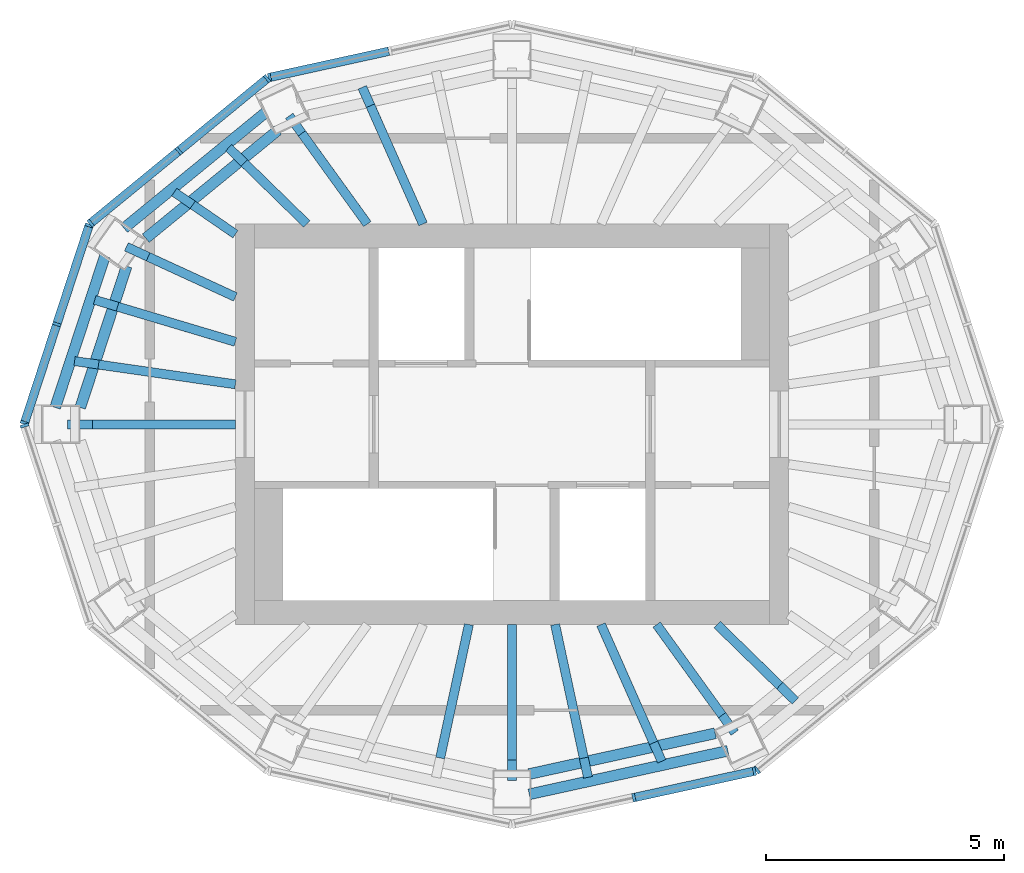
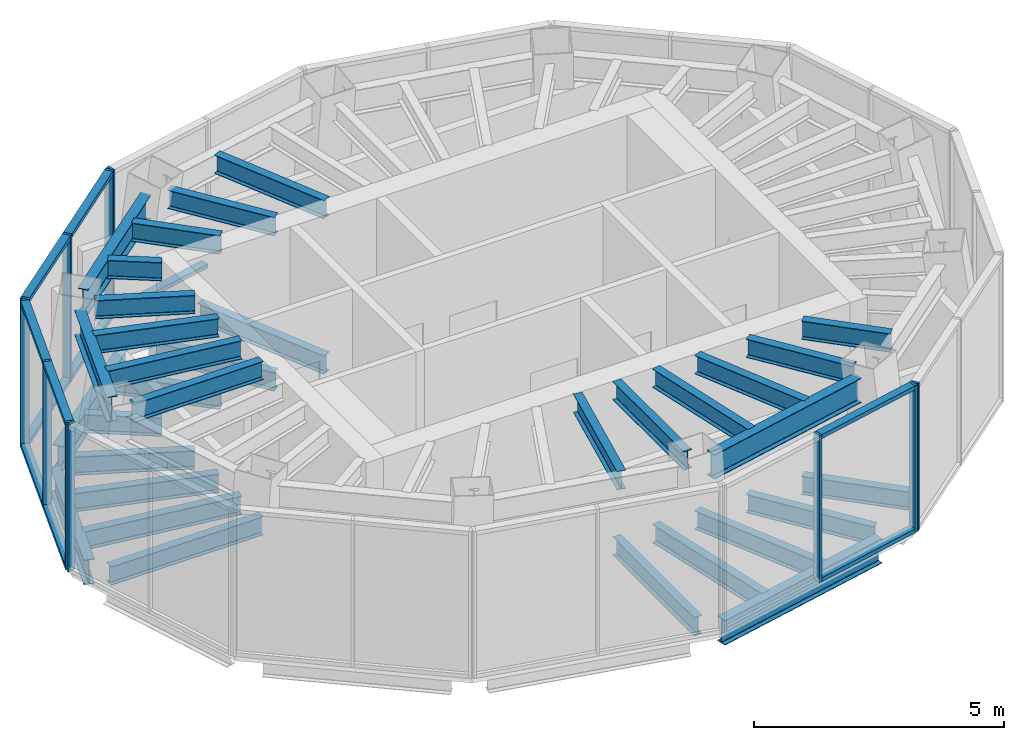
# One storey, part 2 of 6: 33 beams, 22 members, 6 elements without a shape of their own.
"""IFC4 building model written with IfcOpenShell, lengths in metres."""

from ifc_helpers import new_model, si_unit, direction, frame, origin, origin_2d, place, context, subcontext, project, spatial, rectangle, i_section, extrude, material, layer, layer_set, material_profile, profile_set, type_object, element, aggregate, save


model = new_model("IFC4")

# Units and contexts
model_context = context("Model", 3, precision=1e-05, world=origin(), true_north=direction((0.0, 1.0)))
body_context = subcontext(model_context, "Body", "Model", "MODEL_VIEW")
ifc_project = project(units=[si_unit("LENGTHUNIT", "METRE"), si_unit("AREAUNIT", "SQUARE_METRE"), si_unit("VOLUMEUNIT", "CUBIC_METRE"), si_unit("PLANEANGLEUNIT", "RADIAN"), si_unit("MASSUNIT", "GRAM", prefix="KILO")], contexts=[model_context])

# Site, building, storey
site_placement = place(None, origin())
site = spatial("IfcSite", under=ifc_project, at=site_placement, CompositionType="ELEMENT")
building_placement = place(site_placement, origin())
building = spatial("IfcBuilding", under=site, at=building_placement, Name="Siaravel Broadcast Tower", CompositionType="ELEMENT")
storey_placement = place(building_placement, frame((0.0, 0.0, 292.10009765625)))
storey = spatial("IfcBuildingStorey", under=building, at=storey_placement, Name="L71", CompositionType="ELEMENT", Elevation=292.10009765625)

# Curtain wall, member
ifc_material_1 = material(Name="Aluminium 6063-T6", Category="aluminium")
ifc_layer = layer(ifc_material_1, 0.179931640625)
ifc_layer_set = layer_set([ifc_layer], Name="Aluminium 6063-T6")
curtain_wall_type = type_object("IfcCurtainWallType", Name="Crown glass facet wall", PredefinedType="NOTDEFINED", material=ifc_layer_set)
curtain_wall_1_placement = place(storey_placement, origin())
curtain_wall_1 = element("IfcCurtainWall", 1, at=curtain_wall_1_placement, inside=storey, type_object=curtain_wall_type, Name="L71 Crown glass facet wall 04", PredefinedType="NOTDEFINED")
ifc_material_profile_1 = material_profile(ifc_material_1, rectangle(XDim=0.179931640625, YDim=0.06005859375, at=origin_2d()))
ifc_profile_set_1 = profile_set([ifc_material_profile_1], Name="Aluminium 6063-T6")
member_type_1 = type_object("IfcMemberType", Name="CW-CR mullion", PredefinedType="MULLION", material=ifc_profile_set_1)
member_1_placement = place(storey_placement, frame((-5.0830078125, 7.2744140625, 0.0), z_axis=(0.0, 0.0, 1.0), x_axis=(0.214398525, -0.976746268, 0.0)))
member_1 = element("IfcMember", 2, at=member_1_placement, type_object=member_type_1, Name="CW-CR mullion 3", PredefinedType="MULLION", context=body_context, shape_type="SweptSolid", body=[
    extrude(rectangle(XDim=0.179931640625, YDim=0.06005859375, at=origin_2d()), origin(), (0.0, 0.0, 1.0), 3.599853515625),
])

# Curtain wall, members
curtain_wall_2_placement = place(storey_placement, origin())
curtain_wall_2 = element("IfcCurtainWall", 3, at=curtain_wall_2_placement, inside=storey, type_object=curtain_wall_type, Name="L71 Crown glass facet wall 05", PredefinedType="NOTDEFINED")
member_2_placement = place(storey_placement, frame((-5.135498046875, 7.248779296875, 0.0), z_axis=(0.0, 0.0, 1.0), x_axis=(0.633723768, -0.773559427, 0.0)))
member_2 = element("IfcMember", 4, at=member_2_placement, type_object=member_type_1, Name="CW-CR mullion 1", PredefinedType="MULLION", context=body_context, shape_type="SweptSolid", body=[
    extrude(rectangle(XDim=0.179931640625, YDim=0.06005859375, at=origin_2d()), origin(), (0.0, 0.0, 1.0), 3.599853515625),
])
member_3_placement = place(storey_placement, frame((-6.9853515625, 5.7333984375, 0.0), z_axis=(0.0, 0.0, 1.0), x_axis=(0.633723768, -0.773559427, 0.0)))
member_3 = element("IfcMember", 5, at=member_3_placement, type_object=member_type_1, Name="CW-CR mullion 2", PredefinedType="MULLION", context=body_context, shape_type="SweptSolid", body=[
    extrude(rectangle(XDim=0.179931640625, YDim=0.06005859375, at=origin_2d()), origin(), (0.0, 0.0, 1.0), 3.599853515625),
])
member_4_placement = place(storey_placement, frame((-8.835205078125, 4.2177734375, 0.0), z_axis=(0.0, 0.0, 1.0), x_axis=(0.633723768, -0.773559427, 0.0)))
member_4 = element("IfcMember", 6, at=member_4_placement, type_object=member_type_1, Name="CW-CR mullion 3", PredefinedType="MULLION", context=body_context, shape_type="SweptSolid", body=[
    extrude(rectangle(XDim=0.179931640625, YDim=0.06005859375, at=origin_2d()), origin(), (0.0, 0.0, 1.0), 3.599853515625),
])

curtain_wall_3_placement = place(storey_placement, origin())
curtain_wall_3 = element("IfcCurtainWall", 7, at=curtain_wall_3_placement, inside=storey, type_object=curtain_wall_type, Name="L71 Crown glass facet wall 06", PredefinedType="NOTDEFINED")
member_5_placement = place(storey_placement, frame((-8.867919921875, 4.17041015625, 0.0), z_axis=(0.0, 0.0, 1.0), x_axis=(0.950459599, -0.310848114, 0.0)))
member_5 = element("IfcMember", 8, at=member_5_placement, type_object=member_type_1, Name="CW-CR mullion 1", PredefinedType="MULLION", context=body_context, shape_type="SweptSolid", body=[
    extrude(rectangle(XDim=0.179931640625, YDim=0.06005859375, at=origin_2d()), origin(), (0.0, 0.0, 1.0), 3.599853515625),
])
member_6_placement = place(storey_placement, frame((-9.545166015625, 2.099365234375, 0.0), z_axis=(0.0, 0.0, 1.0), x_axis=(0.950459599, -0.310848114, 0.0)))
member_6 = element("IfcMember", 9, at=member_6_placement, type_object=member_type_1, Name="CW-CR mullion 2", PredefinedType="MULLION", context=body_context, shape_type="SweptSolid", body=[
    extrude(rectangle(XDim=0.179931640625, YDim=0.06005859375, at=origin_2d()), origin(), (0.0, 0.0, 1.0), 3.599853515625),
])
member_7_placement = place(storey_placement, frame((-10.222412109375, 0.028564453125, 0.0), z_axis=(0.0, 0.0, 1.0), x_axis=(0.950459599, -0.310848114, 0.0)))
member_7 = element("IfcMember", 10, at=member_7_placement, type_object=member_type_1, Name="CW-CR mullion 3", PredefinedType="MULLION", context=body_context, shape_type="SweptSolid", body=[
    extrude(rectangle(XDim=0.179931640625, YDim=0.06005859375, at=origin_2d()), origin(), (0.0, 0.0, 1.0), 3.599853515625),
])

# Curtain wall, member
curtain_wall_4_placement = place(storey_placement, origin())
curtain_wall_4 = element("IfcCurtainWall", 11, at=curtain_wall_4_placement, inside=storey, type_object=curtain_wall_type, Name="L71 Crown glass facet wall 07", PredefinedType="NOTDEFINED")
member_8_placement = place(storey_placement, frame((-10.222412109375, -0.028564453125, 0.0), z_axis=(0.0, 0.0, 1.0), x_axis=(0.950459599, 0.310848114, 0.0)))
member_8 = element("IfcMember", 12, at=member_8_placement, type_object=member_type_1, Name="CW-CR mullion 1", PredefinedType="MULLION", context=body_context, shape_type="SweptSolid", body=[
    extrude(rectangle(XDim=0.179931640625, YDim=0.06005859375, at=origin_2d()), origin(), (0.0, 0.0, 1.0), 3.599853515625),
])
aggregate(curtain_wall_4, [member_8])

# Curtain wall, members
curtain_wall_5_placement = place(storey_placement, origin())
curtain_wall_5 = element("IfcCurtainWall", 13, at=curtain_wall_5_placement, inside=storey, type_object=curtain_wall_type, Name="L71 Crown glass facet wall 10", PredefinedType="NOTDEFINED")
member_9_placement = place(storey_placement, frame((2.55615234375, -7.828857421875, 0.0), z_axis=(0.0, 0.0, 1.0), x_axis=(-0.214398525, 0.976746268, 0.0)))
member_9 = element("IfcMember", 14, at=member_9_placement, type_object=member_type_1, Name="CW-CR mullion 2", PredefinedType="MULLION", context=body_context, shape_type="SweptSolid", body=[
    extrude(rectangle(XDim=0.179931640625, YDim=0.06005859375, at=origin_2d()), origin(), (0.0, 0.0, 1.0), 3.599853515625),
])
member_10_placement = place(storey_placement, frame((5.0830078125, -7.2744140625, 0.0), z_axis=(0.0, 0.0, 1.0), x_axis=(-0.214398525, 0.976746268, 0.0)))
member_10 = element("IfcMember", 15, at=member_10_placement, type_object=member_type_1, Name="CW-CR mullion 3", PredefinedType="MULLION", context=body_context, shape_type="SweptSolid", body=[
    extrude(rectangle(XDim=0.179931640625, YDim=0.06005859375, at=origin_2d()), origin(), (0.0, 0.0, 1.0), 3.599853515625),
])

# Curtain wall, member
curtain_wall_6_placement = place(storey_placement, origin())
curtain_wall_6 = element("IfcCurtainWall", 16, at=curtain_wall_6_placement, inside=storey, type_object=curtain_wall_type, Name="L71 Crown glass facet wall 11", PredefinedType="NOTDEFINED")
member_11_placement = place(storey_placement, frame((5.135498046875, -7.248779296875, 0.0), z_axis=(0.0, 0.0, 1.0), x_axis=(-0.633723768, 0.773559427, 0.0)))
member_11 = element("IfcMember", 17, at=member_11_placement, type_object=member_type_1, Name="CW-CR mullion 1", PredefinedType="MULLION", context=body_context, shape_type="SweptSolid", body=[
    extrude(rectangle(XDim=0.179931640625, YDim=0.06005859375, at=origin_2d()), origin(), (0.0, 0.0, 1.0), 3.599853515625),
])
aggregate(curtain_wall_6, [member_11])

# Member
ifc_material_profile_2 = material_profile(ifc_material_1, rectangle(XDim=0.179931640625, YDim=0.10009765625, at=origin_2d()))
ifc_profile_set_2 = profile_set([ifc_material_profile_2], Name="Aluminium 6063-T6")
member_type_2 = type_object("IfcMemberType", Name="CW-CR transom", PredefinedType="USERDEFINED", material=ifc_profile_set_2)
member_12_placement = place(storey_placement, frame((-2.58544921875, 7.822509765625, 0.0498046875), z_axis=(-0.976749771, -0.214382566, 0.0), x_axis=(0.214382566, -0.976749771, 0.0)))
member_12 = element("IfcMember", 18, at=member_12_placement, type_object=member_type_2, Name="CW-CR transom 2", ObjectType="TRANSOM", PredefinedType="USERDEFINED", context=body_context, shape_type="SweptSolid", body=[
    extrude(rectangle(XDim=0.179931640625, YDim=0.10009765625, at=origin_2d()), origin(), (0.0, 0.0, 1.0), 2.527099609375),
])

aggregate(curtain_wall_1, [member_1, member_12])

member_13_placement = place(storey_placement, frame((-5.15869140625, 7.229736328125, 0.0498046875), z_axis=(-0.773541895, -0.633745167, 0.0), x_axis=(0.633745167, -0.773541895, 0.0)))
member_13 = element("IfcMember", 19, at=member_13_placement, type_object=member_type_2, Name="CW-CR transom 1", ObjectType="TRANSOM", PredefinedType="USERDEFINED", context=body_context, shape_type="SweptSolid", body=[
    extrude(rectangle(XDim=0.179931640625, YDim=0.10009765625, at=origin_2d()), origin(), (0.0, 0.0, 1.0), 2.33154296875),
])

member_14_placement = place(storey_placement, frame((-5.15869140625, 7.229736328125, 3.5498046875), z_axis=(-0.773541895, -0.633745167, 0.0), x_axis=(0.633745167, -0.773541895, 0.0)))
member_14 = element("IfcMember", 20, at=member_14_placement, type_object=member_type_2, Name="CW-CR transom 1", ObjectType="TRANSOM", PredefinedType="USERDEFINED", context=body_context, shape_type="SweptSolid", body=[
    extrude(rectangle(XDim=0.179931640625, YDim=0.10009765625, at=origin_2d()), origin(), (0.0, 0.0, 1.0), 2.33154296875),
])

member_15_placement = place(storey_placement, frame((-7.008544921875, 5.71435546875, 0.0498046875), z_axis=(-0.773541895, -0.633745167, 0.0), x_axis=(0.633745167, -0.773541895, 0.0)))
member_15 = element("IfcMember", 21, at=member_15_placement, type_object=member_type_2, Name="CW-CR transom 2", ObjectType="TRANSOM", PredefinedType="USERDEFINED", context=body_context, shape_type="SweptSolid", body=[
    extrude(rectangle(XDim=0.179931640625, YDim=0.10009765625, at=origin_2d()), origin(), (0.0, 0.0, 1.0), 2.33154296875),
])

member_16_placement = place(storey_placement, frame((-7.008544921875, 5.71435546875, 3.5498046875), z_axis=(-0.773541895, -0.633745167, 0.0), x_axis=(0.633745167, -0.773541895, 0.0)))
member_16 = element("IfcMember", 22, at=member_16_placement, type_object=member_type_2, Name="CW-CR transom 2", ObjectType="TRANSOM", PredefinedType="USERDEFINED", context=body_context, shape_type="SweptSolid", body=[
    extrude(rectangle(XDim=0.179931640625, YDim=0.10009765625, at=origin_2d()), origin(), (0.0, 0.0, 1.0), 2.33154296875),
])

aggregate(curtain_wall_2, [member_2, member_3, member_4, member_13, member_14, member_15, member_16])

member_17_placement = place(storey_placement, frame((-8.877197265625, 4.141845703125, 0.0498046875), z_axis=(-0.310864969, -0.950454087, 0.0), x_axis=(0.950454087, -0.310864969, 0.0)))
member_17 = element("IfcMember", 23, at=member_17_placement, type_object=member_type_2, Name="CW-CR transom 1", ObjectType="TRANSOM", PredefinedType="USERDEFINED", context=body_context, shape_type="SweptSolid", body=[
    extrude(rectangle(XDim=0.179931640625, YDim=0.10009765625, at=origin_2d()), origin(), (0.0, 0.0, 1.0), 2.118896484375),
])

member_18_placement = place(storey_placement, frame((-8.877197265625, 4.141845703125, 3.5498046875), z_axis=(-0.310864969, -0.950454087, 0.0), x_axis=(0.950454087, -0.310864969, 0.0)))
member_18 = element("IfcMember", 24, at=member_18_placement, type_object=member_type_2, Name="CW-CR transom 1", ObjectType="TRANSOM", PredefinedType="USERDEFINED", context=body_context, shape_type="SweptSolid", body=[
    extrude(rectangle(XDim=0.179931640625, YDim=0.10009765625, at=origin_2d()), origin(), (0.0, 0.0, 1.0), 2.118896484375),
])

member_19_placement = place(storey_placement, frame((-9.554443359375, 2.07080078125, 0.0498046875), z_axis=(-0.310760877, -0.950488126, 0.0), x_axis=(0.950488126, -0.310760877, 0.0)))
member_19 = element("IfcMember", 25, at=member_19_placement, type_object=member_type_2, Name="CW-CR transom 2", ObjectType="TRANSOM", PredefinedType="USERDEFINED", context=body_context, shape_type="SweptSolid", body=[
    extrude(rectangle(XDim=0.179931640625, YDim=0.10009765625, at=origin_2d()), origin(), (0.0, 0.0, 1.0), 2.118896484375),
])

member_20_placement = place(storey_placement, frame((-9.554443359375, 2.07080078125, 3.5498046875), z_axis=(-0.310760877, -0.950488126, 0.0), x_axis=(0.950488126, -0.310760877, 0.0)))
member_20 = element("IfcMember", 26, at=member_20_placement, type_object=member_type_2, Name="CW-CR transom 2", ObjectType="TRANSOM", PredefinedType="USERDEFINED", context=body_context, shape_type="SweptSolid", body=[
    extrude(rectangle(XDim=0.179931640625, YDim=0.10009765625, at=origin_2d()), origin(), (0.0, 0.0, 1.0), 2.118896484375),
])

aggregate(curtain_wall_3, [member_5, member_6, member_7, member_17, member_18, member_19, member_20])

member_21_placement = place(storey_placement, frame((2.58544921875, -7.822509765625, 0.0498046875), z_axis=(0.976749771, 0.214382566, 0.0), x_axis=(-0.214382566, 0.976749771, 0.0)))
member_21 = element("IfcMember", 27, at=member_21_placement, type_object=member_type_2, Name="CW-CR transom 2", ObjectType="TRANSOM", PredefinedType="USERDEFINED", context=body_context, shape_type="SweptSolid", body=[
    extrude(rectangle(XDim=0.179931640625, YDim=0.10009765625, at=origin_2d()), origin(), (0.0, 0.0, 1.0), 2.527099609375),
])

member_22_placement = place(storey_placement, frame((2.58544921875, -7.822509765625, 3.5498046875), z_axis=(0.976749771, 0.214382566, 0.0), x_axis=(-0.214382566, 0.976749771, 0.0)))
member_22 = element("IfcMember", 28, at=member_22_placement, type_object=member_type_2, Name="CW-CR transom 2", ObjectType="TRANSOM", PredefinedType="USERDEFINED", context=body_context, shape_type="SweptSolid", body=[
    extrude(rectangle(XDim=0.179931640625, YDim=0.10009765625, at=origin_2d()), origin(), (0.0, 0.0, 1.0), 2.527099609375),
])

aggregate(curtain_wall_5, [member_9, member_10, member_21, member_22])

# Beams
ifc_material_2 = material(Name="Steel S355", Category="steel")
ifc_material_profile_3 = material_profile(ifc_material_2, i_section(OverallWidth=0.18994140625, OverallDepth=0.453369140625, WebThickness=0.008544921875, FlangeThickness=0.0126953125, FilletRadius=0.01025390625, at=origin_2d()))
ifc_profile_set_3 = profile_set([ifc_material_profile_3], Name="Steel S355")
beam_type_1 = type_object("IfcBeamType", Name="Crown radial beam UB 457x191x67", PredefinedType="BEAM", material=ifc_profile_set_3)
beam_1_placement = place(storey_placement, frame((-3.139892578125, 7.06640625, -0.4267578125), z_axis=(0.406059026, -0.913846851, 0.0), x_axis=(0.913846851, 0.406059026, 0.0)))
element("IfcBeam", 29, at=beam_1_placement, inside=storey, type_object=beam_type_1, Name="Crown radial beam 6-12", PredefinedType="BEAM", context=body_context, shape_type="SweptSolid", body=[
    extrude(i_section(OverallWidth=0.18994140625, OverallDepth=0.453369140625, WebThickness=0.008544921875, FlangeThickness=0.0126953125, FilletRadius=0.01025390625, at=origin_2d()), origin(), (0.0, 0.0, 1.0), 3.13671875),
])
beam_2_placement = place(storey_placement, frame((-4.6708984375, 6.46728515625, -0.4267578125), z_axis=(0.585531984, -0.810649305, 0.0), x_axis=(0.810649305, 0.585531984, 0.0)))
element("IfcBeam", 30, at=beam_2_placement, inside=storey, type_object=beam_type_1, Name="Crown radial beam 6-13", PredefinedType="BEAM", context=body_context, shape_type="SweptSolid", body=[
    extrude(i_section(OverallWidth=0.18994140625, OverallDepth=0.453369140625, WebThickness=0.008544921875, FlangeThickness=0.0126953125, FilletRadius=0.01025390625, at=origin_2d()), origin(), (0.0, 0.0, 1.0), 2.796875),
])
beam_3_placement = place(storey_placement, frame((-5.9404296875, 5.798828125, -0.4267578125), z_axis=(0.715588169, -0.698522421, 0.0), x_axis=(0.698522421, 0.715588169, 0.0)))
element("IfcBeam", 31, at=beam_3_placement, inside=storey, type_object=beam_type_1, Name="Crown radial beam 6-14", PredefinedType="BEAM", context=body_context, shape_type="SweptSolid", body=[
    extrude(i_section(OverallWidth=0.18994140625, OverallDepth=0.453369140625, WebThickness=0.008544921875, FlangeThickness=0.0126953125, FilletRadius=0.01025390625, at=origin_2d()), origin(), (0.0, 0.0, 1.0), 2.2890625),
])
beam_4_placement = place(storey_placement, frame((-7.0830078125, 4.8681640625, -0.4267578125), z_axis=(0.824101404, -0.566442297, 0.0), x_axis=(0.566442297, 0.824101404, 0.0)))
element("IfcBeam", 32, at=beam_4_placement, inside=storey, type_object=beam_type_1, Name="Crown radial beam 6-15", PredefinedType="BEAM", context=body_context, shape_type="SweptSolid", body=[
    extrude(i_section(OverallWidth=0.18994140625, OverallDepth=0.453369140625, WebThickness=0.008544921875, FlangeThickness=0.0126953125, FilletRadius=0.01025390625, at=origin_2d()), origin(), (0.0, 0.0, 1.0), 1.556884765625),
])
beam_5_placement = place(storey_placement, frame((-8.086181640625, 3.721923828125, -0.4267578125), z_axis=(0.908396142, -0.41811057, 0.0), x_axis=(0.41811057, 0.908396142, 0.0)))
element("IfcBeam", 33, at=beam_5_placement, inside=storey, type_object=beam_type_1, Name="Crown radial beam 6-16", PredefinedType="BEAM", context=body_context, shape_type="SweptSolid", body=[
    extrude(i_section(OverallWidth=0.18994140625, OverallDepth=0.453369140625, WebThickness=0.008544921875, FlangeThickness=0.0126953125, FilletRadius=0.01025390625, at=origin_2d()), origin(), (0.0, 0.0, 1.0), 2.5166015625),
])
beam_6_placement = place(storey_placement, frame((-8.750244140625, 2.608642578125, -0.4267578125), z_axis=(0.958309478, -0.285732295, 0.0), x_axis=(0.285732295, 0.958309478, 0.0)))
element("IfcBeam", 34, at=beam_6_placement, inside=storey, type_object=beam_type_1, Name="Crown radial beam 6-17", PredefinedType="BEAM", context=body_context, shape_type="SweptSolid", body=[
    extrude(i_section(OverallWidth=0.18994140625, OverallDepth=0.453369140625, WebThickness=0.008544921875, FlangeThickness=0.0126953125, FilletRadius=0.01025390625, at=origin_2d()), origin(), (0.0, 0.0, 1.0), 3.07861328125),
])
beam_7_placement = place(storey_placement, frame((-9.172607421875, 1.32470703125, -0.4267578125), z_axis=(0.989731961, -0.142935809, 0.0), x_axis=(0.142935809, 0.989731961, 0.0)))
element("IfcBeam", 35, at=beam_7_placement, inside=storey, type_object=beam_type_1, Name="Crown radial beam 6-18", PredefinedType="BEAM", context=body_context, shape_type="SweptSolid", body=[
    extrude(i_section(OverallWidth=0.18994140625, OverallDepth=0.453369140625, WebThickness=0.008544921875, FlangeThickness=0.0126953125, FilletRadius=0.01025390625, at=origin_2d()), origin(), (0.0, 0.0, 1.0), 3.407470703125),
])
beam_8_placement = place(storey_placement, frame((-9.323974609375, 0.0, -0.4267578125), z_axis=(1.0, 0.0, 0.0), x_axis=(0.0, 1.0, 0.0)))
element("IfcBeam", 36, at=beam_8_placement, inside=storey, type_object=beam_type_1, Name="Crown radial beam 6-19", PredefinedType="BEAM", context=body_context, shape_type="SweptSolid", body=[
    extrude(i_section(OverallWidth=0.18994140625, OverallDepth=0.453369140625, WebThickness=0.008544921875, FlangeThickness=0.0126953125, FilletRadius=0.01025390625, at=origin_2d()), origin(), (0.0, 0.0, 1.0), 3.52392578125),
])
beam_9_placement = place(storey_placement, frame((0.0, -7.468994140625, -0.4267578125), z_axis=(0.0, 1.0, 0.0), x_axis=(-1.0, 0.0, 0.0)))
element("IfcBeam", 37, at=beam_9_placement, inside=storey, type_object=beam_type_1, Name="Crown radial beam 6-28", PredefinedType="BEAM", context=body_context, shape_type="SweptSolid", body=[
    extrude(i_section(OverallWidth=0.18994140625, OverallDepth=0.453369140625, WebThickness=0.008544921875, FlangeThickness=0.0126953125, FilletRadius=0.01025390625, at=origin_2d()), origin(), (0.0, 0.0, 1.0), 3.26904296875),
])
beam_10_placement = place(storey_placement, frame((1.59375, -7.40380859375, -0.4267578125), z_axis=(-0.210449833, 0.977604658, 0.0), x_axis=(-0.977604658, -0.210449833, 0.0)))
element("IfcBeam", 38, at=beam_10_placement, inside=storey, type_object=beam_type_1, Name="Crown radial beam 6-29", PredefinedType="BEAM", context=body_context, shape_type="SweptSolid", body=[
    extrude(i_section(OverallWidth=0.18994140625, OverallDepth=0.453369140625, WebThickness=0.008544921875, FlangeThickness=0.0126953125, FilletRadius=0.01025390625, at=origin_2d()), origin(), (0.0, 0.0, 1.0), 3.27734375),
])
beam_11_placement = place(storey_placement, frame((3.139892578125, -7.06640625, -0.4267578125), z_axis=(-0.406059026, 0.913846851, 0.0), x_axis=(-0.913846851, -0.406059026, 0.0)))
element("IfcBeam", 39, at=beam_11_placement, inside=storey, type_object=beam_type_1, Name="Crown radial beam 6-30", PredefinedType="BEAM", context=body_context, shape_type="SweptSolid", body=[
    extrude(i_section(OverallWidth=0.18994140625, OverallDepth=0.453369140625, WebThickness=0.008544921875, FlangeThickness=0.0126953125, FilletRadius=0.01025390625, at=origin_2d()), origin(), (0.0, 0.0, 1.0), 3.13671875),
])
beam_12_placement = place(storey_placement, frame((4.6708984375, -6.46728515625, -0.4267578125), z_axis=(-0.585531984, 0.810649305, 0.0), x_axis=(-0.810649305, -0.585531984, 0.0)))
element("IfcBeam", 40, at=beam_12_placement, inside=storey, type_object=beam_type_1, Name="Crown radial beam 6-31", PredefinedType="BEAM", context=body_context, shape_type="SweptSolid", body=[
    extrude(i_section(OverallWidth=0.18994140625, OverallDepth=0.453369140625, WebThickness=0.008544921875, FlangeThickness=0.0126953125, FilletRadius=0.01025390625, at=origin_2d()), origin(), (0.0, 0.0, 1.0), 2.796875),
])
beam_13_placement = place(storey_placement, frame((5.9404296875, -5.798828125, -0.4267578125), z_axis=(-0.715588169, 0.698522421, 0.0), x_axis=(-0.698522421, -0.715588169, 0.0)))
element("IfcBeam", 41, at=beam_13_placement, inside=storey, type_object=beam_type_1, Name="Crown radial beam 6-32", PredefinedType="BEAM", context=body_context, shape_type="SweptSolid", body=[
    extrude(i_section(OverallWidth=0.18994140625, OverallDepth=0.453369140625, WebThickness=0.008544921875, FlangeThickness=0.0126953125, FilletRadius=0.01025390625, at=origin_2d()), origin(), (0.0, 0.0, 1.0), 2.2890625),
])
beam_14_placement = place(storey_placement, frame((-2.968017578125, 6.679443359375, 3.373291015625), z_axis=(0.406080025, -0.91383752, 0.0), x_axis=(0.91383752, 0.406080025, 0.0)))
element("IfcBeam", 42, at=beam_14_placement, inside=storey, type_object=beam_type_1, Name="Crown radial beam 7-12", PredefinedType="BEAM", context=body_context, shape_type="SweptSolid", body=[
    extrude(i_section(OverallWidth=0.18994140625, OverallDepth=0.453369140625, WebThickness=0.008544921875, FlangeThickness=0.0126953125, FilletRadius=0.01025390625, at=origin_2d()), origin(), (0.0, 0.0, 1.0), 2.71337890625),
])
beam_15_placement = place(storey_placement, frame((-4.40625, 6.1005859375, 3.373291015625), z_axis=(0.585524771, -0.810654515, 0.0), x_axis=(0.810654515, 0.585524771, 0.0)))
element("IfcBeam", 43, at=beam_15_placement, inside=storey, type_object=beam_type_1, Name="Crown radial beam 7-13", PredefinedType="BEAM", context=body_context, shape_type="SweptSolid", body=[
    extrude(i_section(OverallWidth=0.18994140625, OverallDepth=0.453369140625, WebThickness=0.008544921875, FlangeThickness=0.0126953125, FilletRadius=0.01025390625, at=origin_2d()), origin(), (0.0, 0.0, 1.0), 2.344482421875),
])
beam_16_placement = place(storey_placement, frame((-5.615234375, 5.481689453125, 3.373291015625), z_axis=(0.715506104, -0.698606481, 0.0), x_axis=(0.698606481, 0.715506104, 0.0)))
element("IfcBeam", 44, at=beam_16_placement, inside=storey, type_object=beam_type_1, Name="Crown radial beam 7-14", PredefinedType="BEAM", context=body_context, shape_type="SweptSolid", body=[
    extrude(i_section(OverallWidth=0.18994140625, OverallDepth=0.453369140625, WebThickness=0.008544921875, FlangeThickness=0.0126953125, FilletRadius=0.01025390625, at=origin_2d()), origin(), (0.0, 0.0, 1.0), 1.834716796875),
])
beam_17_placement = place(storey_placement, frame((-6.6953125, 4.601806640625, 3.373291015625), z_axis=(0.824153388, -0.566366659, 0.0), x_axis=(0.566366659, 0.824153388, 0.0)))
element("IfcBeam", 45, at=beam_17_placement, inside=storey, type_object=beam_type_1, Name="Crown radial beam 7-15", PredefinedType="BEAM", context=body_context, shape_type="SweptSolid", body=[
    extrude(i_section(OverallWidth=0.18994140625, OverallDepth=0.453369140625, WebThickness=0.008544921875, FlangeThickness=0.0126953125, FilletRadius=0.01025390625, at=origin_2d()), origin(), (0.0, 0.0, 1.0), 1.086181640625),
])
beam_18_placement = place(storey_placement, frame((-7.6298828125, 3.511962890625, 3.373291015625), z_axis=(0.90838459, -0.418135668, 0.0), x_axis=(0.418135668, 0.90838459, 0.0)))
element("IfcBeam", 46, at=beam_18_placement, inside=storey, type_object=beam_type_1, Name="Crown radial beam 7-16", PredefinedType="BEAM", context=body_context, shape_type="SweptSolid", body=[
    extrude(i_section(OverallWidth=0.18994140625, OverallDepth=0.453369140625, WebThickness=0.008544921875, FlangeThickness=0.0126953125, FilletRadius=0.01025390625, at=origin_2d()), origin(), (0.0, 0.0, 1.0), 2.014404296875),
])
beam_19_placement = place(storey_placement, frame((-8.271728515625, 2.466064453125, 3.373291015625), z_axis=(0.958325049, -0.285680067, 0.0), x_axis=(0.285680067, 0.958325049, 0.0)))
element("IfcBeam", 47, at=beam_19_placement, inside=storey, type_object=beam_type_1, Name="Crown radial beam 7-17", PredefinedType="BEAM", context=body_context, shape_type="SweptSolid", body=[
    extrude(i_section(OverallWidth=0.18994140625, OverallDepth=0.453369140625, WebThickness=0.008544921875, FlangeThickness=0.0126953125, FilletRadius=0.01025390625, at=origin_2d()), origin(), (0.0, 0.0, 1.0), 2.5791015625),
])
beam_20_placement = place(storey_placement, frame((-8.671142578125, 1.25244140625, 3.373291015625), z_axis=(0.989724387, -0.142988243, 0.0), x_axis=(0.142988243, 0.989724387, 0.0)))
element("IfcBeam", 48, at=beam_20_placement, inside=storey, type_object=beam_type_1, Name="Crown radial beam 7-18", PredefinedType="BEAM", context=body_context, shape_type="SweptSolid", body=[
    extrude(i_section(OverallWidth=0.18994140625, OverallDepth=0.453369140625, WebThickness=0.008544921875, FlangeThickness=0.0126953125, FilletRadius=0.01025390625, at=origin_2d()), origin(), (0.0, 0.0, 1.0), 2.90087890625),
])
beam_21_placement = place(storey_placement, frame((-8.798583984375, 0.0, 3.373291015625), z_axis=(1.0, 0.0, 0.0), x_axis=(0.0, 1.0, 0.0)))
element("IfcBeam", 49, at=beam_21_placement, inside=storey, type_object=beam_type_1, Name="Crown radial beam 7-19", PredefinedType="BEAM", context=body_context, shape_type="SweptSolid", body=[
    extrude(i_section(OverallWidth=0.18994140625, OverallDepth=0.453369140625, WebThickness=0.008544921875, FlangeThickness=0.0126953125, FilletRadius=0.01025390625, at=origin_2d()), origin(), (0.0, 0.0, 1.0), 2.99853515625),
])
beam_22_placement = place(storey_placement, frame((-1.50634765625, -6.998046875, 3.373291015625), z_axis=(0.210431917, 0.977608515, 0.0), x_axis=(-0.977608515, 0.210431917, 0.0)))
element("IfcBeam", 50, at=beam_22_placement, inside=storey, type_object=beam_type_1, Name="Crown radial beam 7-27", PredefinedType="BEAM", context=body_context, shape_type="SweptSolid", body=[
    extrude(i_section(OverallWidth=0.18994140625, OverallDepth=0.453369140625, WebThickness=0.008544921875, FlangeThickness=0.0126953125, FilletRadius=0.01025390625, at=origin_2d()), origin(), (0.0, 0.0, 1.0), 2.8623046875),
])
beam_23_placement = place(storey_placement, frame((0.0, -7.044189453125, 3.373291015625), z_axis=(0.0, 1.0, 0.0), x_axis=(-1.0, 0.0, 0.0)))
element("IfcBeam", 51, at=beam_23_placement, inside=storey, type_object=beam_type_1, Name="Crown radial beam 7-28", PredefinedType="BEAM", context=body_context, shape_type="SweptSolid", body=[
    extrude(i_section(OverallWidth=0.18994140625, OverallDepth=0.453369140625, WebThickness=0.008544921875, FlangeThickness=0.0126953125, FilletRadius=0.01025390625, at=origin_2d()), origin(), (0.0, 0.0, 1.0), 2.84423828125),
])
beam_24_placement = place(storey_placement, frame((1.50634765625, -6.998046875, 3.373291015625), z_axis=(-0.210431917, 0.977608515, 0.0), x_axis=(-0.977608515, -0.210431917, 0.0)))
element("IfcBeam", 52, at=beam_24_placement, inside=storey, type_object=beam_type_1, Name="Crown radial beam 7-29", PredefinedType="BEAM", context=body_context, shape_type="SweptSolid", body=[
    extrude(i_section(OverallWidth=0.18994140625, OverallDepth=0.453369140625, WebThickness=0.008544921875, FlangeThickness=0.0126953125, FilletRadius=0.01025390625, at=origin_2d()), origin(), (0.0, 0.0, 1.0), 2.8623046875),
])
beam_25_placement = place(storey_placement, frame((2.968017578125, -6.679443359375, 3.373291015625), z_axis=(-0.406080025, 0.91383752, 0.0), x_axis=(-0.91383752, -0.406080025, 0.0)))
element("IfcBeam", 53, at=beam_25_placement, inside=storey, type_object=beam_type_1, Name="Crown radial beam 7-30", PredefinedType="BEAM", context=body_context, shape_type="SweptSolid", body=[
    extrude(i_section(OverallWidth=0.18994140625, OverallDepth=0.453369140625, WebThickness=0.008544921875, FlangeThickness=0.0126953125, FilletRadius=0.01025390625, at=origin_2d()), origin(), (0.0, 0.0, 1.0), 2.71337890625),
])
beam_26_placement = place(storey_placement, frame((4.40625, -6.1005859375, 3.373291015625), z_axis=(-0.585524771, 0.810654515, 0.0), x_axis=(-0.810654515, -0.585524771, 0.0)))
element("IfcBeam", 54, at=beam_26_placement, inside=storey, type_object=beam_type_1, Name="Crown radial beam 7-31", PredefinedType="BEAM", context=body_context, shape_type="SweptSolid", body=[
    extrude(i_section(OverallWidth=0.18994140625, OverallDepth=0.453369140625, WebThickness=0.008544921875, FlangeThickness=0.0126953125, FilletRadius=0.01025390625, at=origin_2d()), origin(), (0.0, 0.0, 1.0), 2.344482421875),
])
beam_27_placement = place(storey_placement, frame((5.615234375, -5.481689453125, 3.373291015625), z_axis=(-0.715506104, 0.698606481, 0.0), x_axis=(-0.698606481, -0.715506104, 0.0)))
element("IfcBeam", 55, at=beam_27_placement, inside=storey, type_object=beam_type_1, Name="Crown radial beam 7-32", PredefinedType="BEAM", context=body_context, shape_type="SweptSolid", body=[
    extrude(i_section(OverallWidth=0.18994140625, OverallDepth=0.453369140625, WebThickness=0.008544921875, FlangeThickness=0.0126953125, FilletRadius=0.01025390625, at=origin_2d()), origin(), (0.0, 0.0, 1.0), 1.834716796875),
])
ifc_material_profile_4 = material_profile(ifc_material_2, i_section(OverallWidth=0.2275390625, OverallDepth=0.6025390625, WebThickness=0.010498046875, FlangeThickness=0.014892578125, FilletRadius=0.0126953125, at=origin_2d()))
ifc_profile_set_4 = profile_set([ifc_material_profile_4], Name="Steel S355")
beam_type_2 = type_object("IfcBeamType", Name="Crown ring beam UB 610x229x101", PredefinedType="SPANDREL", material=ifc_profile_set_4)
beam_28_placement = place(storey_placement, frame((-5.174072265625, 6.533203125, -0.50146484375), z_axis=(-0.774119321, -0.633039712, 0.0), x_axis=(0.633039712, -0.774119321, 0.0)))
element("IfcBeam", 56, at=beam_28_placement, inside=storey, type_object=beam_type_2, Name="Crown ring beam 6-05", PredefinedType="SPANDREL", context=body_context, shape_type="SweptSolid", body=[
    extrude(i_section(OverallWidth=0.2275390625, OverallDepth=0.6025390625, WebThickness=0.010498046875, FlangeThickness=0.014892578125, FilletRadius=0.0126953125, at=origin_2d()), origin(), (0.0, 0.0, 1.0), 3.826171875),
])
beam_29_placement = place(storey_placement, frame((-8.53759765625, 3.525146484375, -0.50146484375), z_axis=(-0.311684834, -0.950185542, 0.0), x_axis=(0.950185542, -0.311684834, 0.0)))
element("IfcBeam", 57, at=beam_29_placement, inside=storey, type_object=beam_type_2, Name="Crown ring beam 6-06", PredefinedType="SPANDREL", context=body_context, shape_type="SweptSolid", body=[
    extrude(i_section(OverallWidth=0.2275390625, OverallDepth=0.6025390625, WebThickness=0.010498046875, FlangeThickness=0.014892578125, FilletRadius=0.0126953125, at=origin_2d()), origin(), (0.0, 0.0, 1.0), 3.33984375),
])
beam_30_placement = place(storey_placement, frame((0.361328125, -7.759521484375, -0.50146484375), z_axis=(0.976812149, 0.214098167, 0.0), x_axis=(-0.214098167, 0.976812149, 0.0)))
element("IfcBeam", 58, at=beam_30_placement, inside=storey, type_object=beam_type_2, Name="Crown ring beam 6-10", PredefinedType="SPANDREL", context=body_context, shape_type="SweptSolid", body=[
    extrude(i_section(OverallWidth=0.2275390625, OverallDepth=0.6025390625, WebThickness=0.010498046875, FlangeThickness=0.014892578125, FilletRadius=0.0126953125, at=origin_2d()), origin(), (0.0, 0.0, 1.0), 4.263671875),
])
beam_31_placement = place(storey_placement, frame((-4.9091796875, 6.16650390625, 3.298583984375), z_axis=(-0.77411532, -0.633044604, 0.0), x_axis=(0.633044604, -0.77411532, 0.0)))
element("IfcBeam", 59, at=beam_31_placement, inside=storey, type_object=beam_type_2, Name="Crown ring beam 7-05", PredefinedType="SPANDREL", context=body_context, shape_type="SweptSolid", body=[
    extrude(i_section(OverallWidth=0.2275390625, OverallDepth=0.6025390625, WebThickness=0.010498046875, FlangeThickness=0.014892578125, FilletRadius=0.0126953125, at=origin_2d()), origin(), (0.0, 0.0, 1.0), 3.578857421875),
])
beam_32_placement = place(storey_placement, frame((-8.08154296875, 3.315185546875, 3.298583984375), z_axis=(-0.311621348, -0.950206365, 0.0), x_axis=(0.950206365, -0.311621348, 0.0)))
element("IfcBeam", 60, at=beam_32_placement, inside=storey, type_object=beam_type_2, Name="Crown ring beam 7-06", PredefinedType="SPANDREL", context=body_context, shape_type="SweptSolid", body=[
    extrude(i_section(OverallWidth=0.2275390625, OverallDepth=0.6025390625, WebThickness=0.010498046875, FlangeThickness=0.014892578125, FilletRadius=0.0126953125, at=origin_2d()), origin(), (0.0, 0.0, 1.0), 3.118896484375),
])
beam_33_placement = place(storey_placement, frame((0.361328125, -7.3349609375, 3.298583984375), z_axis=(0.976804583, 0.214132685, 0.0), x_axis=(-0.214132685, 0.976804583, 0.0)))
element("IfcBeam", 61, at=beam_33_placement, inside=storey, type_object=beam_type_2, Name="Crown ring beam 7-10", PredefinedType="SPANDREL", context=body_context, shape_type="SweptSolid", body=[
    extrude(i_section(OverallWidth=0.2275390625, OverallDepth=0.6025390625, WebThickness=0.010498046875, FlangeThickness=0.014892578125, FilletRadius=0.0126953125, at=origin_2d()), origin(), (0.0, 0.0, 1.0), 3.99267578125),
])

save(model, "model.ifc")
